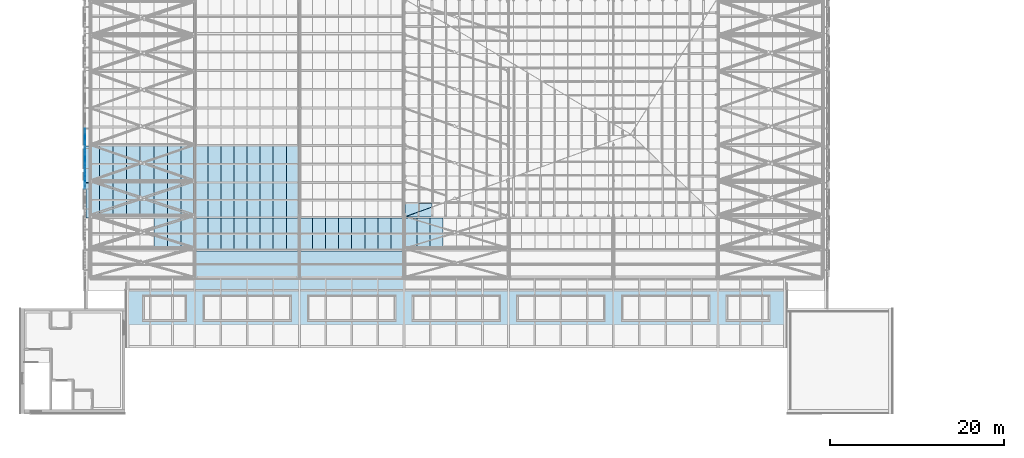
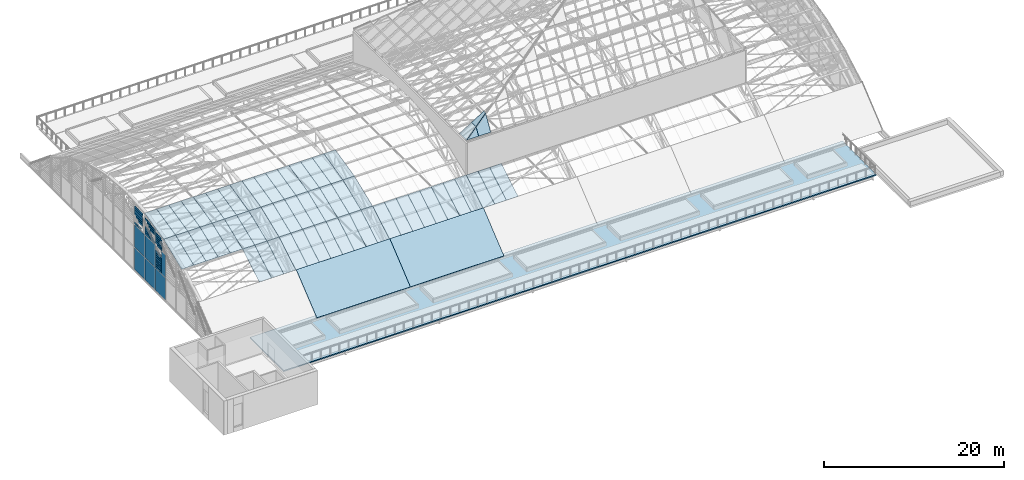
# One storey, part 52 of 110: 93 plates, 3 slabs, 1 element without a shape of its own.
"""IFC4 building model written with IfcOpenShell, lengths in metres."""

from ifc_helpers import new_model, si_unit, direction, frame, origin, place, context, subcontext, project, spatial, polyline, outline, extrude, material, layer, layer_set, type_object, element, aggregate, save


model = new_model("IFC4")

# Units and contexts
model_context = context("Model", 3, precision=1e-05, world=origin(), true_north=direction((0.0, 1.0)))
body_context = subcontext(model_context, "Body", "Model", "MODEL_VIEW")
ifc_project = project(units=[si_unit("LENGTHUNIT", "METRE"), si_unit("AREAUNIT", "SQUARE_METRE"), si_unit("VOLUMEUNIT", "CUBIC_METRE"), si_unit("PLANEANGLEUNIT", "RADIAN"), si_unit("MASSUNIT", "GRAM", prefix="KILO")], contexts=[model_context])

# Site, building, storey
site_placement = place(None, origin())
site = spatial("IfcSite", under=ifc_project, at=site_placement, CompositionType="ELEMENT")
building_placement = place(site_placement, origin())
building = spatial("IfcBuilding", under=site, at=building_placement, Name="Windward Yard Aquatics Centre", CompositionType="ELEMENT")
storey_placement = place(building_placement, frame((0.0, 0.0, 22.60009765625)))
storey = spatial("IfcBuildingStorey", under=building, at=storey_placement, Name="L05", CompositionType="ELEMENT", Elevation=22.60009765625)

# Curtain wall, plates
ifc_material_1 = material(Name="Glass and aluminium curtain wall", Category="aluminium")
ifc_layer_1 = layer(ifc_material_1, 0.179931640625)
ifc_layer_set_1 = layer_set([ifc_layer_1], Name="H gable glazing system double glazed 8+16+8")
curtain_wall_type = type_object("IfcCurtainWallType", Name="H gable glazing system double glazed 8+16+8", PredefinedType="NOTDEFINED", material=ifc_layer_set_1)
curtain_wall_placement = place(storey_placement, origin())
curtain_wall = element("IfcCurtainWall", 1, at=curtain_wall_placement, inside=storey, type_object=curtain_wall_type, Name="Gable glazing W", PredefinedType="NOTDEFINED")
ifc_material_2 = material(Name="Low-iron glass", Category="glass")
ifc_layer_2 = layer(ifc_material_2, 0.008, Name="Outer pane")
ifc_material_3 = material(Name="Argon-filled cavity")
ifc_layer_3 = layer(ifc_material_3, 0.016, Name="Cavity")
ifc_layer_4 = layer(ifc_material_2, 0.008, Name="Inner pane")
ifc_layer_set_2 = layer_set([ifc_layer_2, ifc_layer_3, ifc_layer_4], Name="H gable glass low-e double glazed unit 32")
plate_type_1 = type_object("IfcPlateType", Name="H gable glass low-e double glazed unit 32", PredefinedType="CURTAIN_PANEL", material=ifc_layer_set_2)
plate_1_placement = place(storey_placement, frame((59.39404296875, 51.755615234375, 0.099853515625), z_axis=(-1.0, 0.0, 0.0), x_axis=(0.0, 0.0, 1.0)))
plate_1 = element("IfcPlate", 2, at=plate_1_placement, type_object=plate_type_1, Name="Gable panel 6.1", PredefinedType="CURTAIN_PANEL", context=body_context, shape_type="SweptSolid", body=[
    extrude(outline(polyline([(0.0, 0.0), (2.949951, 0.0), (2.949951, 2.25415), (0.0, 2.25415), (0.0, 0.0)])), origin(), (0.0, 0.0, -1.0), 0.031982421875),
])
plate_2_placement = place(storey_placement, frame((59.426025390625, 52.774169921875, 3.14990234375), z_axis=(1.0, 0.0, 0.0), x_axis=(0.0, 1.0, 0.0)))
plate_2 = element("IfcPlate", 3, at=plate_2_placement, type_object=plate_type_1, Name="Gable panel 6.2a", PredefinedType="CURTAIN_PANEL", context=body_context, shape_type="SweptSolid", body=[
    extrude(outline(polyline([(0.0, 0.0), (1.235596, 0.0), (1.235596, 0.299805), (0.0, 0.299805), (0.0, 0.0)])), origin(), (0.0, 0.0, -1.0), 0.031982421875),
])
plate_3_placement = place(storey_placement, frame((59.426025390625, 52.774169921875, 3.4501953125), z_axis=(1.0, 0.0, 0.0), x_axis=(0.0, 1.0, 0.0)))
plate_3 = element("IfcPlate", 4, at=plate_3_placement, type_object=plate_type_1, Name="Gable panel 6.2b", PredefinedType="CURTAIN_PANEL", context=body_context, shape_type="SweptSolid", body=[
    extrude(outline(polyline([(0.0, 0.0), (1.235596, 0.0), (1.235596, 0.299561), (0.0, 0.299561), (0.0, 0.0)])), origin(), (0.0, 0.0, -1.0), 0.031982421875),
])
plate_4_placement = place(storey_placement, frame((59.426025390625, 52.774169921875, 3.75), z_axis=(1.0, 0.0, 0.0), x_axis=(0.0, 1.0, 0.0)))
plate_4 = element("IfcPlate", 5, at=plate_4_placement, type_object=plate_type_1, Name="Gable panel 6.2c", PredefinedType="CURTAIN_PANEL", context=body_context, shape_type="SweptSolid", body=[
    extrude(outline(polyline([(0.0, 0.0), (1.235596, 0.0), (1.235596, 0.299805), (0.0, 0.299805), (0.0, 0.0)])), origin(), (0.0, 0.0, -1.0), 0.031982421875),
])
plate_5_placement = place(storey_placement, frame((59.426025390625, 52.774169921875, 4.050048828125), z_axis=(1.0, 0.0, 0.0), x_axis=(0.0, 1.0, 0.0)))
plate_5 = element("IfcPlate", 6, at=plate_5_placement, type_object=plate_type_1, Name="Gable panel 6.2d", PredefinedType="CURTAIN_PANEL", context=body_context, shape_type="SweptSolid", body=[
    extrude(outline(polyline([(0.0, 0.0), (1.235596, 0.0), (1.235596, 0.299561), (0.0, 0.299561), (0.0, 0.0)])), origin(), (0.0, 0.0, -1.0), 0.031982421875),
])
plate_6_placement = place(storey_placement, frame((59.426025390625, 52.774169921875, 4.35009765625), z_axis=(1.0, 0.0, 0.0), x_axis=(0.0, 1.0, 0.0)))
plate_6 = element("IfcPlate", 7, at=plate_6_placement, type_object=plate_type_1, Name="Gable panel 6.2e", PredefinedType="CURTAIN_PANEL", context=body_context, shape_type="SweptSolid", body=[
    extrude(outline(polyline([(0.0, 0.0), (1.235596, 0.0), (1.235596, 0.299561), (0.0, 0.299561), (0.0, 0.0)])), origin(), (0.0, 0.0, -1.0), 0.031982421875),
])
plate_7_placement = place(storey_placement, frame((59.426025390625, 52.774169921875, 4.650146484375), z_axis=(1.0, 0.0, 0.0), x_axis=(0.0, 1.0, 0.0)))
plate_7 = element("IfcPlate", 8, at=plate_7_placement, type_object=plate_type_1, Name="Gable panel 6.2f", PredefinedType="CURTAIN_PANEL", context=body_context, shape_type="SweptSolid", body=[
    extrude(outline(polyline([(0.0, 0.0), (1.235596, 0.0), (1.235596, 0.299561), (0.0, 0.299561), (0.0, 0.0)])), origin(), (0.0, 0.0, -1.0), 0.031982421875),
])
plate_8_placement = place(storey_placement, frame((59.426025390625, 52.774169921875, 4.9501953125), z_axis=(1.0, 0.0, 0.0), x_axis=(0.0, 1.0, 0.0)))
plate_8 = element("IfcPlate", 9, at=plate_8_placement, type_object=plate_type_1, Name="Gable panel 6.2g", PredefinedType="CURTAIN_PANEL", context=body_context, shape_type="SweptSolid", body=[
    extrude(outline(polyline([(0.0, 0.0), (1.235596, 0.0), (1.235596, 0.299561), (0.0, 0.299561), (0.0, 0.0)])), origin(), (0.0, 0.0, -1.0), 0.031982421875),
])
plate_9_placement = place(storey_placement, frame((59.426025390625, 52.872314453125, 5.25), z_axis=(1.0, 0.0, 0.0), x_axis=(0.0, 1.0, 0.0)))
plate_9 = element("IfcPlate", 10, at=plate_9_placement, type_object=plate_type_1, Name="Gable panel 6.2h", PredefinedType="CURTAIN_PANEL", context=body_context, shape_type="SweptSolid", body=[
    extrude(outline(polyline([(0.0, 0.0), (1.137451, 0.0), (1.137451, 0.299805), (0.0, 0.299805), (0.0, 0.0)])), origin(), (0.0, 0.0, -1.0), 0.031982421875),
])
plate_10_placement = place(storey_placement, frame((59.39404296875, 51.755615234375, 3.14990234375), z_axis=(-1.0, 0.0, 0.0), x_axis=(0.0, 0.0, 1.0)))
plate_10 = element("IfcPlate", 11, at=plate_10_placement, type_object=plate_type_1, Name="Gable panel 6.2k", PredefinedType="CURTAIN_PANEL", context=body_context, shape_type="SweptSolid", body=[
    extrude(outline(polyline([(0.0, 0.0), (3.0, 0.0), (3.0, 0.970703), (0.0, 0.970703), (0.0, 0.0)])), origin(), (0.0, 0.0, -1.0), 0.031982421875),
])
plate_11_placement = place(storey_placement, frame((59.426025390625, 52.589111328125, 6.25), z_axis=(1.0, 0.0, 0.0), x_axis=(0.0, 1.0, 0.0)))
plate_11 = element("IfcPlate", 12, at=plate_11_placement, type_object=plate_type_1, Name="Gable panel 6.3i", PredefinedType="CURTAIN_PANEL", context=body_context, shape_type="SweptSolid", body=[
    extrude(outline(polyline([(0.0, 0.0), (1.090576, 0.0), (1.090576, 0.282471), (0.0, 0.282471), (0.0, 0.0)])), origin(), (0.0, 0.0, -1.0), 0.031982421875),
])
plate_12_placement = place(storey_placement, frame((59.426025390625, 52.589111328125, 6.532958984375), z_axis=(1.0, 0.0, 0.0), x_axis=(0.0, 1.0, 0.0)))
plate_12 = element("IfcPlate", 13, at=plate_12_placement, type_object=plate_type_1, Name="Gable panel 6.3j", PredefinedType="CURTAIN_PANEL", context=body_context, shape_type="SweptSolid", body=[
    extrude(outline(polyline([(0.0, 0.0), (1.420654, 0.0), (1.420654, 0.282471), (0.0, 0.282471), (0.0, 0.0)])), origin(), (0.0, 0.0, -1.0), 0.031982421875),
])
plate_13_placement = place(storey_placement, frame((59.426025390625, 52.589111328125, 6.81591796875), z_axis=(1.0, 0.0, 0.0), x_axis=(0.0, 1.0, 0.0)))
plate_13 = element("IfcPlate", 14, at=plate_13_placement, type_object=plate_type_1, Name="Gable panel 6.3k", PredefinedType="CURTAIN_PANEL", context=body_context, shape_type="SweptSolid", body=[
    extrude(outline(polyline([(0.0, 0.0), (1.420654, 0.0), (1.420654, 0.282471), (0.0, 0.282471), (0.0, 0.0)])), origin(), (0.0, 0.0, -1.0), 0.031982421875),
])
plate_14_placement = place(storey_placement, frame((59.426025390625, 52.589111328125, 7.0986328125), z_axis=(1.0, 0.0, 0.0), x_axis=(0.0, 1.0, 0.0)))
plate_14 = element("IfcPlate", 15, at=plate_14_placement, type_object=plate_type_1, Name="Gable panel 6.3l", PredefinedType="CURTAIN_PANEL", context=body_context, shape_type="SweptSolid", body=[
    extrude(outline(polyline([(0.0, 0.0), (1.420654, 0.0), (1.420654, 0.282471), (0.0, 0.282471), (0.0, 0.0)])), origin(), (0.0, 0.0, -1.0), 0.031982421875),
])
plate_15_placement = place(storey_placement, frame((59.426025390625, 52.589111328125, 7.381591796875), z_axis=(1.0, 0.0, 0.0), x_axis=(0.0, 1.0, 0.0)))
plate_15 = element("IfcPlate", 16, at=plate_15_placement, type_object=plate_type_1, Name="Gable panel 6.3m", PredefinedType="CURTAIN_PANEL", context=body_context, shape_type="SweptSolid", body=[
    extrude(outline(polyline([(0.0, 0.0), (1.420654, 0.0), (1.420654, 0.282471), (0.0, 0.282471), (0.0, 0.0)])), origin(), (0.0, 0.0, -1.0), 0.031982421875),
])
plate_16_placement = place(storey_placement, frame((59.426025390625, 52.796875, 7.66455078125), z_axis=(1.0, 0.0, 0.0), x_axis=(0.0, 1.0, 0.0)))
plate_16 = element("IfcPlate", 17, at=plate_16_placement, type_object=plate_type_1, Name="Gable panel 6.3n", PredefinedType="CURTAIN_PANEL", context=body_context, shape_type="SweptSolid", body=[
    extrude(outline(polyline([(0.0, 0.0), (1.212891, 0.0), (1.212891, 0.282471), (0.0, 0.282471), (0.0, 0.0)])), origin(), (0.0, 0.0, -1.0), 0.031982421875),
])
plate_17_placement = place(storey_placement, frame((59.39404296875, 54.07470703125, 0.099853515625), z_axis=(-1.0, 0.0, 0.0), x_axis=(0.0, 0.0, 1.0)))
plate_17 = element("IfcPlate", 18, at=plate_17_placement, type_object=plate_type_1, Name="Gable panel 7.1", PredefinedType="CURTAIN_PANEL", context=body_context, shape_type="SweptSolid", body=[
    extrude(outline(polyline([(0.0, 0.0), (2.949951, 0.0), (2.949951, 2.254395), (0.0, 2.254395), (0.0, 0.0)])), origin(), (0.0, 0.0, -1.0), 0.031982421875),
])
plate_18_placement = place(storey_placement, frame((59.39404296875, 54.07470703125, 3.14990234375), z_axis=(-1.0, 0.0, 0.0), x_axis=(0.0, 0.0, 1.0)))
plate_18 = element("IfcPlate", 19, at=plate_18_placement, type_object=plate_type_1, Name="Gable panel 7.2", PredefinedType="CURTAIN_PANEL", context=body_context, shape_type="SweptSolid", body=[
    extrude(outline(polyline([(0.0, 0.0), (3.0, 0.0), (3.0, 2.254395), (0.0, 2.254395), (0.0, 0.0)])), origin(), (0.0, 0.0, -1.0), 0.031982421875),
])
plate_19_placement = place(storey_placement, frame((59.426025390625, 54.1728515625, 6.25), z_axis=(1.0, 0.0, 0.0), x_axis=(0.0, 1.0, 0.0)))
plate_19 = element("IfcPlate", 20, at=plate_19_placement, type_object=plate_type_1, Name="Gable panel 7.3a", PredefinedType="CURTAIN_PANEL", context=body_context, shape_type="SweptSolid", body=[
    extrude(outline(polyline([(0.0, 0.0), (2.15625, 0.0), (2.15625, 0.266846), (0.0, 0.266846), (0.0, 0.0)])), origin(), (0.0, 0.0, -1.0), 0.031982421875),
])
plate_20_placement = place(storey_placement, frame((59.426025390625, 54.5322265625, 6.517333984375), z_axis=(1.0, 0.0, 0.0), x_axis=(0.0, 1.0, 0.0)))
plate_20 = element("IfcPlate", 21, at=plate_20_placement, type_object=plate_type_1, Name="Gable panel 7.3b", PredefinedType="CURTAIN_PANEL", context=body_context, shape_type="SweptSolid", body=[
    extrude(outline(polyline([(0.0, 0.0), (1.796875, 0.0), (1.796875, 0.266846), (0.0, 0.266846), (0.0, 0.0)])), origin(), (0.0, 0.0, -1.0), 0.031982421875),
])
plate_21_placement = place(storey_placement, frame((59.426025390625, 54.891357421875, 6.78466796875), z_axis=(1.0, 0.0, 0.0), x_axis=(0.0, 1.0, 0.0)))
plate_21 = element("IfcPlate", 22, at=plate_21_placement, type_object=plate_type_1, Name="Gable panel 7.3c", PredefinedType="CURTAIN_PANEL", context=body_context, shape_type="SweptSolid", body=[
    extrude(outline(polyline([(0.0, 0.0), (1.437744, 0.0), (1.437744, 0.266846), (0.0, 0.266846), (0.0, 0.0)])), origin(), (0.0, 0.0, -1.0), 0.031982421875),
])
plate_22_placement = place(storey_placement, frame((59.426025390625, 55.250732421875, 7.0517578125), z_axis=(1.0, 0.0, 0.0), x_axis=(0.0, 1.0, 0.0)))
plate_22 = element("IfcPlate", 23, at=plate_22_placement, type_object=plate_type_1, Name="Gable panel 7.3d", PredefinedType="CURTAIN_PANEL", context=body_context, shape_type="SweptSolid", body=[
    extrude(outline(polyline([(0.0, 0.0), (1.078369, 0.0), (1.078369, 0.266846), (0.0, 0.266846), (0.0, 0.0)])), origin(), (0.0, 0.0, -1.0), 0.031982421875),
])
plate_23_placement = place(storey_placement, frame((59.426025390625, 54.07470703125, 7.37939453125), z_axis=(1.0, 0.0, 0.0), x_axis=(0.0, 1.0, 0.0)))
plate_23 = element("IfcPlate", 24, at=plate_23_placement, type_object=plate_type_1, Name="Gable panel 7.3i", PredefinedType="CURTAIN_PANEL", context=body_context, shape_type="SweptSolid", body=[
    extrude(outline(polyline([(0.0, 0.0), (1.123535, 0.0), (1.123535, 0.277832), (0.0, 0.277832), (0.0, 0.0)])), origin(), (0.0, 0.0, -1.0), 0.031982421875),
])
plate_24_placement = place(storey_placement, frame((59.426025390625, 54.07470703125, 7.65771484375), z_axis=(1.0, 0.0, 0.0), x_axis=(0.0, 1.0, 0.0)))
plate_24 = element("IfcPlate", 25, at=plate_24_placement, type_object=plate_type_1, Name="Gable panel 7.3j", PredefinedType="CURTAIN_PANEL", context=body_context, shape_type="SweptSolid", body=[
    extrude(outline(polyline([(0.0, 0.0), (1.497803, 0.0), (1.497803, 0.278076), (0.0, 0.278076), (0.0, 0.0)])), origin(), (0.0, 0.0, -1.0), 0.031982421875),
])
plate_25_placement = place(storey_placement, frame((59.426025390625, 54.07470703125, 7.93603515625), z_axis=(1.0, 0.0, 0.0), x_axis=(0.0, 1.0, 0.0)))
plate_25 = element("IfcPlate", 26, at=plate_25_placement, type_object=plate_type_1, Name="Gable panel 7.3k", PredefinedType="CURTAIN_PANEL", context=body_context, shape_type="SweptSolid", body=[
    extrude(outline(polyline([(0.0, 0.0), (1.872314, 0.0), (1.872314, 0.278076), (0.0, 0.278076), (0.0, 0.0)])), origin(), (0.0, 0.0, -1.0), 0.031982421875),
])
plate_26_placement = place(storey_placement, frame((59.426025390625, 55.13525390625, 8.214599609375), z_axis=(1.0, 0.0, 0.0), x_axis=(0.0, 1.0, 0.0)))
plate_26 = element("IfcPlate", 27, at=plate_26_placement, type_object=plate_type_1, Name="Gable panel 7.3l", PredefinedType="CURTAIN_PANEL", context=body_context, shape_type="SweptSolid", body=[
    extrude(outline(polyline([(0.0, 0.0), (1.186035, 0.0), (1.186035, 0.278076), (0.0, 0.278076), (0.0, 0.0)])), origin(), (0.0, 0.0, -1.0), 0.031982421875),
])
plate_27_placement = place(storey_placement, frame((59.39404296875, 56.39404296875, 0.099853515625), z_axis=(-1.0, 0.0, 0.0), x_axis=(0.0, 0.0, 1.0)))
plate_27 = element("IfcPlate", 28, at=plate_27_placement, type_object=plate_type_1, Name="Gable panel 8.1", PredefinedType="CURTAIN_PANEL", context=body_context, shape_type="SweptSolid", body=[
    extrude(outline(polyline([(0.0, 0.0), (2.949951, 0.0), (2.949951, 2.25415), (0.0, 2.25415), (0.0, 0.0)])), origin(), (0.0, 0.0, -1.0), 0.031982421875),
])
plate_28_placement = place(storey_placement, frame((59.39404296875, 56.39404296875, 3.14990234375), z_axis=(-1.0, 0.0, 0.0), x_axis=(0.0, 0.0, 1.0)))
plate_28 = element("IfcPlate", 29, at=plate_28_placement, type_object=plate_type_1, Name="Gable panel 8.2", PredefinedType="CURTAIN_PANEL", context=body_context, shape_type="SweptSolid", body=[
    extrude(outline(polyline([(0.0, 0.0), (3.0, 0.0), (3.0, 2.25415), (0.0, 2.25415), (0.0, 0.0)])), origin(), (0.0, 0.0, -1.0), 0.031982421875),
])
plate_29_placement = place(storey_placement, frame((59.426025390625, 57.257080078125, 6.25), z_axis=(1.0, 0.0, 0.0), x_axis=(0.0, 1.0, 0.0)))
plate_29 = element("IfcPlate", 30, at=plate_29_placement, type_object=plate_type_1, Name="Gable panel 8.3a", PredefinedType="CURTAIN_PANEL", context=body_context, shape_type="SweptSolid", body=[
    extrude(outline(polyline([(0.0, 0.0), (1.391113, 0.0), (1.391113, 0.275391), (0.0, 0.275391), (0.0, 0.0)])), origin(), (0.0, 0.0, -1.0), 0.031982421875),
])
plate_30_placement = place(storey_placement, frame((59.426025390625, 56.85986328125, 6.96484375), z_axis=(1.0, 0.0, 0.0), x_axis=(0.0, 1.0, 0.0)))
plate_30 = element("IfcPlate", 31, at=plate_30_placement, type_object=plate_type_1, Name="Gable panel 8.3e", PredefinedType="CURTAIN_PANEL", context=body_context, shape_type="SweptSolid", body=[
    extrude(outline(polyline([(0.0, 0.0), (0.97998, 0.0), (0.97998, 0.290771), (0.0, 0.290771), (0.0, 0.0)])), origin(), (0.0, 0.0, -1.0), 0.031982421875),
])
plate_31_placement = place(storey_placement, frame((59.426025390625, 56.85986328125, 7.255859375), z_axis=(1.0, 0.0, 0.0), x_axis=(0.0, 1.0, 0.0)))
plate_31 = element("IfcPlate", 32, at=plate_31_placement, type_object=plate_type_1, Name="Gable panel 8.3f", PredefinedType="CURTAIN_PANEL", context=body_context, shape_type="SweptSolid", body=[
    extrude(outline(polyline([(0.0, 0.0), (1.469971, 0.0), (1.469971, 0.290771), (0.0, 0.290771), (0.0, 0.0)])), origin(), (0.0, 0.0, -1.0), 0.031982421875),
])
plate_32_placement = place(storey_placement, frame((59.426025390625, 56.85986328125, 7.547119140625), z_axis=(1.0, 0.0, 0.0), x_axis=(0.0, 1.0, 0.0)))
plate_32 = element("IfcPlate", 33, at=plate_32_placement, type_object=plate_type_1, Name="Gable panel 8.3g", PredefinedType="CURTAIN_PANEL", context=body_context, shape_type="SweptSolid", body=[
    extrude(outline(polyline([(0.0, 0.0), (1.78833, 0.0), (1.78833, 0.290771), (0.0, 0.290771), (0.0, 0.0)])), origin(), (0.0, 0.0, -1.0), 0.031982421875),
])
plate_33_placement = place(storey_placement, frame((59.426025390625, 56.85986328125, 7.83837890625), z_axis=(1.0, 0.0, 0.0), x_axis=(0.0, 1.0, 0.0)))
plate_33 = element("IfcPlate", 34, at=plate_33_placement, type_object=plate_type_1, Name="Gable panel 8.3h", PredefinedType="CURTAIN_PANEL", context=body_context, shape_type="SweptSolid", body=[
    extrude(outline(polyline([(0.0, 0.0), (1.78833, 0.0), (1.78833, 0.290771), (0.0, 0.290771), (0.0, 0.0)])), origin(), (0.0, 0.0, -1.0), 0.031982421875),
])
plate_34_placement = place(storey_placement, frame((59.426025390625, 56.85986328125, 8.12939453125), z_axis=(1.0, 0.0, 0.0), x_axis=(0.0, 1.0, 0.0)))
plate_34 = element("IfcPlate", 35, at=plate_34_placement, type_object=plate_type_1, Name="Gable panel 8.3i", PredefinedType="CURTAIN_PANEL", context=body_context, shape_type="SweptSolid", body=[
    extrude(outline(polyline([(0.0, 0.0), (1.78833, 0.0), (1.78833, 0.290771), (0.0, 0.290771), (0.0, 0.0)])), origin(), (0.0, 0.0, -1.0), 0.031982421875),
])
plate_35_placement = place(storey_placement, frame((59.426025390625, 56.85986328125, 8.420654296875), z_axis=(1.0, 0.0, 0.0), x_axis=(0.0, 1.0, 0.0)))
plate_35 = element("IfcPlate", 36, at=plate_35_placement, type_object=plate_type_1, Name="Gable panel 8.3j", PredefinedType="CURTAIN_PANEL", context=body_context, shape_type="SweptSolid", body=[
    extrude(outline(polyline([(0.0, 0.0), (1.78833, 0.0), (1.78833, 0.290771), (0.0, 0.290771), (0.0, 0.0)])), origin(), (0.0, 0.0, -1.0), 0.031982421875),
])
aggregate(curtain_wall, [plate_1, plate_2, plate_3, plate_4, plate_5, plate_6, plate_7, plate_8, plate_9, plate_10, plate_11, plate_12, plate_13, plate_14, plate_15, plate_16, plate_17, plate_18, plate_19, plate_20, plate_21, plate_22, plate_23, plate_24, plate_25, plate_26, plate_27, plate_28, plate_29, plate_30, plate_31, plate_32, plate_33, plate_34, plate_35])

# Plates
ifc_material_4 = material(Name="Laminated low-e glass", Category="glass")
ifc_layer_5 = layer(ifc_material_4, 0.035888671875)
ifc_layer_set_3 = layer_set([ifc_layer_5], Name="H lantern glass laminated low-e 36")
plate_type_2 = type_object("IfcPlateType", Name="H lantern glass laminated low-e 36", PredefinedType="SHEET", material=ifc_layer_set_3)
plate_36_placement = place(storey_placement, frame((97.660400390625, 48.514404296875, 10.901123046875), z_axis=(4.4396873e-05, -0.8600442655, 0.510219422807), x_axis=(-2.764e-09, 0.510219423309, 0.860044266348)))
element("IfcPlate", 37, at=plate_36_placement, inside=storey, type_object=plate_type_2, Name="H.LN.G.01.081", PredefinedType="SHEET", context=body_context, shape_type="SweptSolid", body=[
    extrude(outline(polyline([(0.0, 0.0), (1.104497, 0.0), (2.21678, -1.548584), (0.0, -1.548584), (0.0, 0.0)])), origin(), (0.0, 0.0, -1.0), 0.035888671875),
])
plate_37_placement = place(storey_placement, frame((96.12255859375, 48.514404296875, 10.901123046875), z_axis=(0.0, -0.859991860194, 0.510307750676), x_axis=(0.812211924654, 0.297694397787, 0.501686989044)))
element("IfcPlate", 38, at=plate_37_placement, inside=storey, type_object=plate_type_2, Name="H.LN.G.01.082", PredefinedType="SHEET", context=body_context, shape_type="SweptSolid", body=[
    extrude(outline(polyline([(0.0, 0.0), (1.883781, 0.0), (1.242708, -0.892562), (0.0, 0.0)])), origin(), (0.0, 0.0, -1.0), 0.035888671875),
])
plate_38_placement = place(storey_placement, frame((96.10400390625, 48.516357421875, 10.896728515625), z_axis=(-0.525518580898, 0.0, 0.850782123185), x_axis=(0.0, 1.0, 0.0)))
element("IfcPlate", 39, at=plate_38_placement, inside=storey, type_object=plate_type_2, Name="H.LN.G.04.001", PredefinedType="SHEET", context=body_context, shape_type="SweptSolid", body=[
    extrude(outline(polyline([(0.0, 0.0), (1.55127, 0.0), (1.55127, -1.820189), (0.567139, -1.820189), (0.0, 0.0)])), origin(), (0.0, 0.0, -1.0), 0.035888671875),
])
plate_39_placement = place(storey_placement, frame((97.660400390625, 49.086669921875, 11.8583984375), z_axis=(-0.525518580898, 0.0, 0.850782123185), x_axis=(0.0, 1.0, 0.0)))
element("IfcPlate", 40, at=plate_39_placement, inside=storey, type_object=plate_type_2, Name="H.LN.G.04.002", PredefinedType="SHEET", context=body_context, shape_type="SweptSolid", body=[
    extrude(outline(polyline([(0.0, 0.0), (0.980957, 0.0), (0.980957, -1.820189), (0.567139, -1.820189), (0.0, 0.0)])), origin(), (0.0, 0.0, -1.0), 0.035888671875),
])

# Slabs
ifc_material_5 = material(Name="Aluminium standing seam sheet", Category="aluminium")
ifc_layer_6 = layer(ifc_material_5, 0.001, Name="Roof covering")
ifc_material_6 = material(Name="Breather membrane")
ifc_layer_7 = layer(ifc_material_6, 0.002, Name="Underlay")
ifc_material_7 = material(Name="Mineral wool insulation")
ifc_layer_8 = layer(ifc_material_7, 0.1, Name="Insulation")
ifc_material_8 = material(Name="Vapour control layer")
ifc_layer_9 = layer(ifc_material_8, 0.001, Name="Vapour control")
ifc_material_9 = material(Name="Profiled galvanised steel deck", Category="steel")
ifc_layer_10 = layer(ifc_material_9, 0.046, Name="Deck")
ifc_layer_set_4 = layer_set([ifc_layer_6, ifc_layer_7, ifc_layer_8, ifc_layer_9, ifc_layer_10], Name="H standing seam roofing 150")
slab_type_1 = type_object("IfcSlabType", Name="H standing seam roofing 150", PredefinedType="ROOF", material=ifc_layer_set_4)
for number, where, z_axis, x_axis, name in (
    (41, (72.0, 26.0, 0.0), (1.0, 0.0, 0.0), (0.0, 1.0, 0.0), "Roof covering bay 2"),
    (42, (84.0, 26.0, 0.0), (1.0, 0.0, 0.0), (0.0, 1.0, 0.0), "Roof covering bay 3"),
):
    element("IfcSlab", number, at=place(storey_placement, frame(where, z_axis=z_axis, x_axis=x_axis)), inside=storey, type_object=slab_type_1, Name=name, PredefinedType="ROOF", context=body_context, shape_type="SweptSolid", body=[
        extrude(outline(polyline([(14.107666015625, 0.300048828125), (18.67431640625, 4.050537109375), (18.588134765625, 4.173828125), (14.012451171875, 0.416015625), (14.107666015625, 0.300048828125)])), origin(), (0.0, 0.0, 1.0), 12.0),
    ])
ifc_material_10 = material(Name="Bituminous waterproofing membrane with root barrier")
ifc_layer_11 = layer(ifc_material_10, 0.005, Name="Waterproofing and root barrier")
ifc_material_11 = material(Name="Cement screed laid to falls")
ifc_layer_12 = layer(ifc_material_11, 0.025, Name="Screed to falls")
ifc_material_12 = material(Name="Concrete C35/45", Category="concrete")
ifc_layer_13 = layer(ifc_material_12, 0.12, Name="Structure")
ifc_layer_set_5 = layer_set([ifc_layer_11, ifc_layer_12, ifc_layer_13], Name="H terrace slab 150 C35/45")
slab_type_2 = type_object("IfcSlabType", Name="H terrace slab 150 C35/45", PredefinedType="FLOOR", material=ifc_layer_set_5)
slab_placement = place(storey_placement, frame((0.0, 0.0, -0.150146484375)))
element("IfcSlab", 43, at=slab_placement, inside=storey, type_object=slab_type_2, Name="H.T2.S", PredefinedType="FLOOR", context=body_context, shape_type="SweptSolid", body=[
    extrude(outline(polyline([(64.0, 33.5), (140.0, 33.5), (140.0, 41.0), (64.0, 41.0), (64.0, 33.5)])), origin(), (0.0, 0.0, 1.0), 0.150146484375),
])

# Plates
ifc_material_13 = material(Name="Translucent multiwall polycarbonate sheet")
ifc_layer_14 = layer(ifc_material_13, 0.031982421875)
ifc_layer_set_6 = layer_set([ifc_layer_14], Name="H translucent roof sheet multiwall polycarbonate 32")
plate_type_3 = type_object("IfcPlateType", Name="H translucent roof sheet multiwall polycarbonate 32", PredefinedType="SHEET", material=ifc_layer_set_6)
for number, where, z_axis, x_axis, name in (
    (44, (67.314453125, 26.0, 0.0), (1.0, 0.0, 0.0), (0.0, 1.0, 0.0), "Daylight roof sheet bay 1 facet 2 sheet 6"),
    (45, (68.876953125, 26.0, 0.0), (1.0, 0.0, 0.0), (0.0, 1.0, 0.0), "Daylight roof sheet bay 1 facet 2 sheet 7"),
    (46, (70.439453125, 26.0, 0.0), (1.0, 0.0, 0.0), (0.0, 1.0, 0.0), "Daylight roof sheet bay 1 facet 2 sheet 8"),
):
    element("IfcPlate", number, at=place(storey_placement, frame(where, z_axis=z_axis, x_axis=x_axis)), inside=storey, type_object=plate_type_3, Name=name, PredefinedType="SHEET", context=body_context, shape_type="SweptSolid", body=[
        extrude(outline(polyline([(18.67431640625, 4.050537109375), (22.41064453125, 6.2646484375), (22.396240234375, 6.29345703125), (18.656005859375, 4.076904296875), (18.67431640625, 4.050537109375)])), origin(), (0.0, 0.0, 1.0), 1.55859375),
    ])
for number, where, z_axis, x_axis, name in (
    (47, (59.501953125, 26.0, 0.0), (1.0, 0.0, 0.0), (0.0, 1.0, 0.0), "Daylight roof sheet bay 1 facet 3 sheet 1"),
    (48, (61.064453125, 26.0, 0.0), (1.0, 0.0, 0.0), (0.0, 1.0, 0.0), "Daylight roof sheet bay 1 facet 3 sheet 2"),
    (49, (62.626953125, 26.0, 0.0), (1.0, 0.0, 0.0), (0.0, 1.0, 0.0), "Daylight roof sheet bay 1 facet 3 sheet 3"),
    (50, (64.189453125, 26.0, 0.0), (1.0, 0.0, 0.0), (0.0, 1.0, 0.0), "Daylight roof sheet bay 1 facet 3 sheet 4"),
    (51, (65.751953125, 26.0, 0.0), (1.0, 0.0, 0.0), (0.0, 1.0, 0.0), "Daylight roof sheet bay 1 facet 3 sheet 5"),
    (52, (67.314453125, 26.0, 0.0), (1.0, 0.0, 0.0), (0.0, 1.0, 0.0), "Daylight roof sheet bay 1 facet 3 sheet 6"),
    (53, (68.876953125, 26.0, 0.0), (1.0, 0.0, 0.0), (0.0, 1.0, 0.0), "Daylight roof sheet bay 1 facet 3 sheet 7"),
    (54, (70.439453125, 26.0, 0.0), (1.0, 0.0, 0.0), (0.0, 1.0, 0.0), "Daylight roof sheet bay 1 facet 3 sheet 8"),
):
    element("IfcPlate", number, at=place(storey_placement, frame(where, z_axis=z_axis, x_axis=x_axis)), inside=storey, type_object=plate_type_3, Name=name, PredefinedType="SHEET", context=body_context, shape_type="SweptSolid", body=[
        extrude(outline(polyline([(22.41064453125, 6.2646484375), (26.440185546875, 7.88427734375), (26.4306640625, 7.914794921875), (22.396240234375, 6.29345703125), (22.41064453125, 6.2646484375)])), origin(), (0.0, 0.0, 1.0), 1.55859375),
    ])
for number, where, z_axis, x_axis, name in (
    (55, (59.501953125, 26.0, 0.0), (1.0, 0.0, 0.0), (0.0, 1.0, 0.0), "Daylight roof sheet bay 1 facet 4 sheet 1"),
    (56, (61.064453125, 26.0, 0.0), (1.0, 0.0, 0.0), (0.0, 1.0, 0.0), "Daylight roof sheet bay 1 facet 4 sheet 2"),
    (57, (62.626953125, 26.0, 0.0), (1.0, 0.0, 0.0), (0.0, 1.0, 0.0), "Daylight roof sheet bay 1 facet 4 sheet 3"),
    (58, (64.189453125, 26.0, 0.0), (1.0, 0.0, 0.0), (0.0, 1.0, 0.0), "Daylight roof sheet bay 1 facet 4 sheet 4"),
    (59, (65.751953125, 26.0, 0.0), (1.0, 0.0, 0.0), (0.0, 1.0, 0.0), "Daylight roof sheet bay 1 facet 4 sheet 5"),
    (60, (67.314453125, 26.0, 0.0), (1.0, 0.0, 0.0), (0.0, 1.0, 0.0), "Daylight roof sheet bay 1 facet 4 sheet 6"),
    (61, (68.876953125, 26.0, 0.0), (1.0, 0.0, 0.0), (0.0, 1.0, 0.0), "Daylight roof sheet bay 1 facet 4 sheet 7"),
    (62, (70.439453125, 26.0, 0.0), (1.0, 0.0, 0.0), (0.0, 1.0, 0.0), "Daylight roof sheet bay 1 facet 4 sheet 8"),
):
    element("IfcPlate", number, at=place(storey_placement, frame(where, z_axis=z_axis, x_axis=x_axis)), inside=storey, type_object=plate_type_3, Name=name, PredefinedType="SHEET", context=body_context, shape_type="SweptSolid", body=[
        extrude(outline(polyline([(26.440185546875, 7.88427734375), (30.669677734375, 8.871337890625), (30.664794921875, 8.903076171875), (26.4306640625, 7.914794921875), (26.440185546875, 7.88427734375)])), origin(), (0.0, 0.0, 1.0), 1.55859375),
    ])
for number, where, z_axis, x_axis, name in (
    (63, (72.001953125, 26.0, 0.0), (1.0, 0.0, 0.0), (0.0, 1.0, 0.0), "Daylight roof sheet bay 2 facet 2 sheet 1"),
    (64, (73.501953125, 26.0, 0.0), (1.0, 0.0, 0.0), (0.0, 1.0, 0.0), "Daylight roof sheet bay 2 facet 2 sheet 2"),
    (65, (75.001953125, 26.0, 0.0), (1.0, 0.0, 0.0), (0.0, 1.0, 0.0), "Daylight roof sheet bay 2 facet 2 sheet 3"),
    (66, (76.501953125, 26.0, 0.0), (1.0, 0.0, 0.0), (0.0, 1.0, 0.0), "Daylight roof sheet bay 2 facet 2 sheet 4"),
    (67, (78.001953125, 26.0, 0.0), (1.0, 0.0, 0.0), (0.0, 1.0, 0.0), "Daylight roof sheet bay 2 facet 2 sheet 5"),
    (68, (79.501953125, 26.0, 0.0), (1.0, 0.0, 0.0), (0.0, 1.0, 0.0), "Daylight roof sheet bay 2 facet 2 sheet 6"),
    (69, (81.001953125, 26.0, 0.0), (1.0, 0.0, 0.0), (0.0, 1.0, 0.0), "Daylight roof sheet bay 2 facet 2 sheet 7"),
    (70, (82.501953125, 26.0, 0.0), (1.0, 0.0, 0.0), (0.0, 1.0, 0.0), "Daylight roof sheet bay 2 facet 2 sheet 8"),
):
    element("IfcPlate", number, at=place(storey_placement, frame(where, z_axis=z_axis, x_axis=x_axis)), inside=storey, type_object=plate_type_3, Name=name, PredefinedType="SHEET", context=body_context, shape_type="SweptSolid", body=[
        extrude(outline(polyline([(18.67431640625, 4.050537109375), (22.41064453125, 6.2646484375), (22.396240234375, 6.29345703125), (18.656005859375, 4.076904296875), (18.67431640625, 4.050537109375)])), origin(), (0.0, 0.0, 1.0), 1.49609375),
    ])
for number, where, z_axis, x_axis, name in (
    (71, (72.001953125, 26.0, 0.0), (1.0, 0.0, 0.0), (0.0, 1.0, 0.0), "Daylight roof sheet bay 2 facet 3 sheet 1"),
    (72, (73.501953125, 26.0, 0.0), (1.0, 0.0, 0.0), (0.0, 1.0, 0.0), "Daylight roof sheet bay 2 facet 3 sheet 2"),
    (73, (75.001953125, 26.0, 0.0), (1.0, 0.0, 0.0), (0.0, 1.0, 0.0), "Daylight roof sheet bay 2 facet 3 sheet 3"),
    (74, (76.501953125, 26.0, 0.0), (1.0, 0.0, 0.0), (0.0, 1.0, 0.0), "Daylight roof sheet bay 2 facet 3 sheet 4"),
    (75, (78.001953125, 26.0, 0.0), (1.0, 0.0, 0.0), (0.0, 1.0, 0.0), "Daylight roof sheet bay 2 facet 3 sheet 5"),
    (76, (79.501953125, 26.0, 0.0), (1.0, 0.0, 0.0), (0.0, 1.0, 0.0), "Daylight roof sheet bay 2 facet 3 sheet 6"),
    (77, (81.001953125, 26.0, 0.0), (1.0, 0.0, 0.0), (0.0, 1.0, 0.0), "Daylight roof sheet bay 2 facet 3 sheet 7"),
    (78, (82.501953125, 26.0, 0.0), (1.0, 0.0, 0.0), (0.0, 1.0, 0.0), "Daylight roof sheet bay 2 facet 3 sheet 8"),
):
    element("IfcPlate", number, at=place(storey_placement, frame(where, z_axis=z_axis, x_axis=x_axis)), inside=storey, type_object=plate_type_3, Name=name, PredefinedType="SHEET", context=body_context, shape_type="SweptSolid", body=[
        extrude(outline(polyline([(22.41064453125, 6.2646484375), (26.440185546875, 7.88427734375), (26.4306640625, 7.914794921875), (22.396240234375, 6.29345703125), (22.41064453125, 6.2646484375)])), origin(), (0.0, 0.0, 1.0), 1.49609375),
    ])
for number, where, z_axis, x_axis, name in (
    (79, (72.001953125, 26.0, 0.0), (1.0, 0.0, 0.0), (0.0, 1.0, 0.0), "Daylight roof sheet bay 2 facet 4 sheet 1"),
    (80, (73.501953125, 26.0, 0.0), (1.0, 0.0, 0.0), (0.0, 1.0, 0.0), "Daylight roof sheet bay 2 facet 4 sheet 2"),
    (81, (75.001953125, 26.0, 0.0), (1.0, 0.0, 0.0), (0.0, 1.0, 0.0), "Daylight roof sheet bay 2 facet 4 sheet 3"),
    (82, (76.501953125, 26.0, 0.0), (1.0, 0.0, 0.0), (0.0, 1.0, 0.0), "Daylight roof sheet bay 2 facet 4 sheet 4"),
    (83, (78.001953125, 26.0, 0.0), (1.0, 0.0, 0.0), (0.0, 1.0, 0.0), "Daylight roof sheet bay 2 facet 4 sheet 5"),
    (84, (79.501953125, 26.0, 0.0), (1.0, 0.0, 0.0), (0.0, 1.0, 0.0), "Daylight roof sheet bay 2 facet 4 sheet 6"),
    (85, (81.001953125, 26.0, 0.0), (1.0, 0.0, 0.0), (0.0, 1.0, 0.0), "Daylight roof sheet bay 2 facet 4 sheet 7"),
    (86, (82.501953125, 26.0, 0.0), (1.0, 0.0, 0.0), (0.0, 1.0, 0.0), "Daylight roof sheet bay 2 facet 4 sheet 8"),
):
    element("IfcPlate", number, at=place(storey_placement, frame(where, z_axis=z_axis, x_axis=x_axis)), inside=storey, type_object=plate_type_3, Name=name, PredefinedType="SHEET", context=body_context, shape_type="SweptSolid", body=[
        extrude(outline(polyline([(26.440185546875, 7.88427734375), (30.669677734375, 8.871337890625), (30.664794921875, 8.903076171875), (26.4306640625, 7.914794921875), (26.440185546875, 7.88427734375)])), origin(), (0.0, 0.0, 1.0), 1.49609375),
    ])
for number, where, z_axis, x_axis, name in (
    (87, (84.001953125, 26.0, 0.0), (1.0, 0.0, 0.0), (0.0, 1.0, 0.0), "Daylight roof sheet bay 3 facet 2 sheet 1"),
    (88, (85.501953125, 26.0, 0.0), (1.0, 0.0, 0.0), (0.0, 1.0, 0.0), "Daylight roof sheet bay 3 facet 2 sheet 2"),
    (89, (87.001953125, 26.0, 0.0), (1.0, 0.0, 0.0), (0.0, 1.0, 0.0), "Daylight roof sheet bay 3 facet 2 sheet 3"),
    (90, (88.501953125, 26.0, 0.0), (1.0, 0.0, 0.0), (0.0, 1.0, 0.0), "Daylight roof sheet bay 3 facet 2 sheet 4"),
    (91, (90.001953125, 26.0, 0.0), (1.0, 0.0, 0.0), (0.0, 1.0, 0.0), "Daylight roof sheet bay 3 facet 2 sheet 5"),
    (92, (91.501953125, 26.0, 0.0), (1.0, 0.0, 0.0), (0.0, 1.0, 0.0), "Daylight roof sheet bay 3 facet 2 sheet 6"),
    (93, (93.001953125, 26.0, 0.0), (1.0, 0.0, 0.0), (0.0, 1.0, 0.0), "Daylight roof sheet bay 3 facet 2 sheet 7"),
    (94, (94.501953125, 26.0, 0.0), (1.0, 0.0, 0.0), (0.0, 1.0, 0.0), "Daylight roof sheet bay 3 facet 2 sheet 8"),
    (95, (96.001953125, 26.0, 0.0), (1.0, 0.0, 0.0), (0.0, 1.0, 0.0), "Daylight roof sheet bay 4 facet 2 sheet 1"),
    (96, (97.501953125, 26.0, 0.0), (1.0, 0.0, 0.0), (0.0, 1.0, 0.0), "Daylight roof sheet bay 4 facet 2 sheet 2"),
    (97, (99.001953125, 26.0, 0.0), (1.0, 0.0, 0.0), (0.0, 1.0, 0.0), "Daylight roof sheet bay 4 facet 2 sheet 3"),
):
    element("IfcPlate", number, at=place(storey_placement, frame(where, z_axis=z_axis, x_axis=x_axis)), inside=storey, type_object=plate_type_3, Name=name, PredefinedType="SHEET", context=body_context, shape_type="SweptSolid", body=[
        extrude(outline(polyline([(18.67431640625, 4.050537109375), (22.41064453125, 6.2646484375), (22.396240234375, 6.29345703125), (18.656005859375, 4.076904296875), (18.67431640625, 4.050537109375)])), origin(), (0.0, 0.0, 1.0), 1.49609375),
    ])

save(model, "model.ifc")
